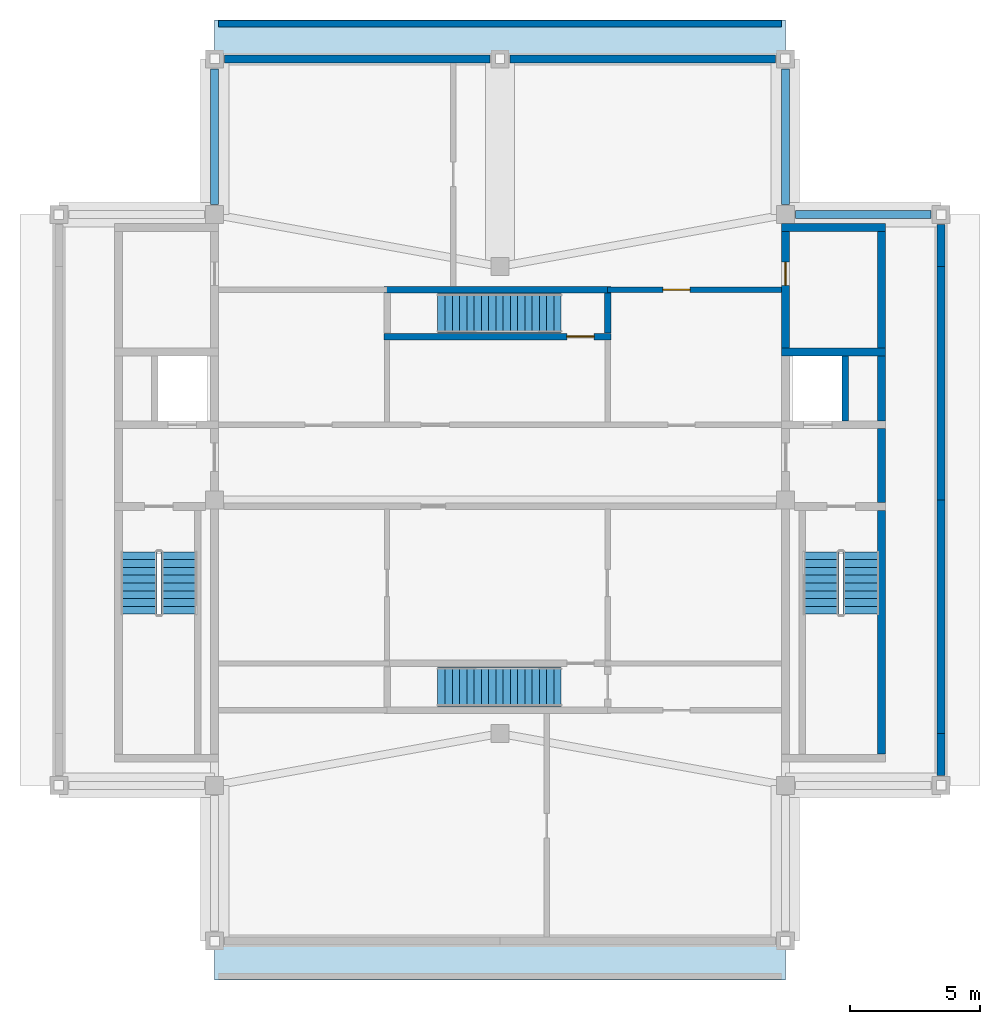
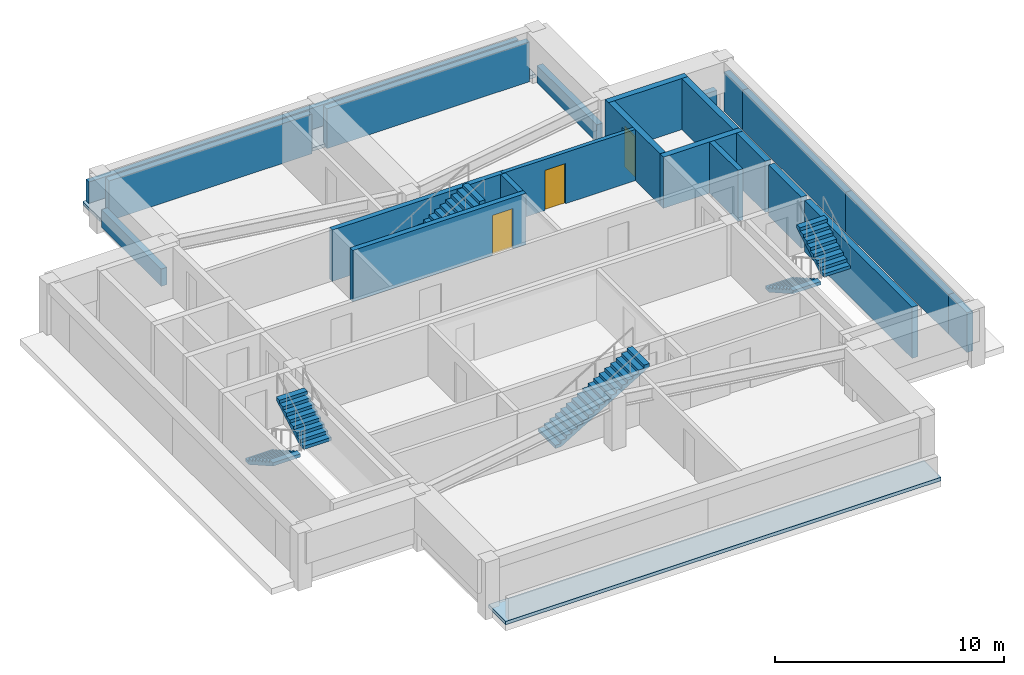
# One storey, part 3 of 4: 22 walls, 6 stair flights, 3 doors, 2 roofs, 3 openings, 4 elements without a shape of their own.
"""IFC4 building model written with IfcOpenShell, lengths in metres."""

from ifc_helpers import new_model, si_unit, direction, frame, frame_2d, origin, place, context, subcontext, project, spatial, polyline, rectangle, outline, extrude, material, layer, layer_set, type_object, element, fill, aggregate, save


model = new_model("IFC4")

# Units and contexts
model_context = context("Model", 3, precision=1e-05, world=origin(), true_north=direction((0.0, 1.0)))
body_context = subcontext(model_context, "Body", "Model", "MODEL_VIEW")
ifc_project = project(units=[si_unit("LENGTHUNIT", "METRE"), si_unit("AREAUNIT", "SQUARE_METRE"), si_unit("VOLUMEUNIT", "CUBIC_METRE"), si_unit("PLANEANGLEUNIT", "RADIAN"), si_unit("MASSUNIT", "GRAM", prefix="KILO")], contexts=[model_context])

# Site, building, storey
site_placement = place(None, origin())
site = spatial("IfcSite", under=ifc_project, at=site_placement, CompositionType="ELEMENT")
building_placement = place(site_placement, origin())
building = spatial("IfcBuilding", under=site, at=building_placement, Name="Zulmaris Gate Convention Tower", CompositionType="ELEMENT")
storey_placement = place(building_placement, frame((0.0, 0.0, 287.919921875)))
storey = spatial("IfcBuildingStorey", under=building, at=storey_placement, Name="L77", CompositionType="ELEMENT", Elevation=287.919921875)

# Wall, opening, door
ifc_material_1 = material(Name="Concrete C50/60", Category="concrete")
ifc_layer_1 = layer(ifc_material_1, 0.25, Name="Concrete C50/60")
ifc_layer_set_1 = layer_set([ifc_layer_1], Name="Concrete C50/60")
wall_type_1 = type_object("IfcWallType", Name="CORE-250", PredefinedType="SOLIDWALL", material=ifc_layer_set_1)
wall_1_placement = place(storey_placement, frame((-4.47509765625, 6.300048828125, 0.0), z_axis=(0.0, 0.0, 1.0), x_axis=(1.0, 0.0, 0.0)))
wall_1 = element("IfcWall", 1, at=wall_1_placement, inside=storey, type_object=wall_type_1, Name="WL-L77-011", PredefinedType="SOLIDWALL", context=body_context, shape_type="SweptSolid", body=[
    extrude(rectangle(XDim=8.75, YDim=0.25, at=frame_2d((4.375, 0.0))), origin(), (0.0, 0.0, 1.0), 2.735107421875),
])
opening_1_placement = place(wall_1_placement, frame((7.050048828125, 0.0, 0.0)))
opening_1 = element("IfcOpeningElement", 2, at=opening_1_placement, cuts=wall_1, Name="Opening D-09", PredefinedType="OPENING", context=body_context, shape_type="SweptSolid", body=[
    extrude(rectangle(XDim=1.050048828125, YDim=2.14990234375, at=frame_2d((0.52490234375, 1.074951171875))), frame((0.0, 0.135009765625, 0.0), z_axis=(0.0, -1.0, 0.0), x_axis=(1.0, 0.0, 0.0)), (0.0, 0.0, 1.0), 0.27001953125),
])
ifc_material_2 = material(Name="Fire-Rated Steel", Category="steel")
door_type_1 = type_object("IfcDoorType", Name="DR-1050-FD", OperationType="NOTDEFINED", PredefinedType="DOOR", material=ifc_material_2)
door_1_placement = place(opening_1_placement, origin())
door_1 = element("IfcDoor", 3, at=door_1_placement, inside=storey, type_object=door_type_1, Name="L77 Crown Stair ST-8 Door 10", OperationType="SINGLE_SWING_RIGHT", OverallHeight=2.14990234375, OverallWidth=1.050048828125, PredefinedType="DOOR", context=body_context, shape_type="SweptSolid", body=[
    extrude(rectangle(XDim=1.050048828125, YDim=2.14990234375, at=frame_2d((0.52490234375, 1.074951171875))), frame((0.0, 0.02490234375, 0.0), z_axis=(0.0, -1.0, 0.0), x_axis=(1.0, 0.0, 0.0)), (0.0, 0.0, 1.0), 0.050048828125),
])
fill(opening_1, door_1)

# Walls
wall_2_placement = place(storey_placement, frame((-4.47509765625, 8.10009765625, 0.0), z_axis=(0.0, 0.0, 1.0), x_axis=(1.0, 0.0, 0.0)))
element("IfcWall", 4, at=wall_2_placement, inside=storey, type_object=wall_type_1, Name="WL-L77-012", PredefinedType="SOLIDWALL", context=body_context, shape_type="SweptSolid", body=[
    extrude(rectangle(XDim=8.75, YDim=0.25, at=frame_2d((4.375, 0.0))), origin(), (0.0, 0.0, 1.0), 2.735107421875),
])
wall_3_placement = place(storey_placement, frame((4.14990234375, 6.427001953125, 0.0), z_axis=(0.0, 0.0, 1.0), x_axis=(0.0, 1.0, 0.0)))
element("IfcWall", 5, at=wall_3_placement, inside=storey, type_object=wall_type_1, Name="WL-L77-036", PredefinedType="SOLIDWALL", context=body_context, shape_type="SweptSolid", body=[
    extrude(rectangle(XDim=1.5458984375, YDim=0.25, at=frame_2d((0.77294921875, 0.0))), origin(), (0.0, 0.0, 1.0), 2.735107421875),
])
wall_4_placement = place(storey_placement, frame((13.300048828125, 3.052001953125, 0.0), z_axis=(0.0, 0.0, 1.0), x_axis=(0.0, 1.0, 0.0)))
element("IfcWall", 6, at=wall_4_placement, inside=storey, type_object=wall_type_1, Name="WL-L77-042", PredefinedType="SOLIDWALL", context=body_context, shape_type="SweptSolid", body=[
    extrude(rectangle(XDim=2.49609375, YDim=0.25, at=frame_2d((1.248046875, 0.0))), origin(), (0.0, 0.0, 1.0), 2.735107421875),
])
ifc_layer_2 = layer(ifc_material_1, 0.300048828125, Name="Concrete C50/60")
ifc_layer_set_2 = layer_set([ifc_layer_2], Name="Concrete C50/60")
wall_type_2 = type_object("IfcWallType", Name="CORE-300", PredefinedType="SHEAR", material=ifc_layer_set_2)
for number, where, z_axis, x_axis, name in (
    (7, (10.85009765625, 5.699951171875, 0.0), (0.0, 0.0, 1.0), (1.0, 0.0, 0.0), "WL-L77-010"),
    (8, (10.85009765625, 10.5, 0.0), (0.0, 0.0, 1.0), (1.0, 0.0, 0.0), "WL-L77-014"),
):
    element("IfcWall", number, at=place(storey_placement, frame(where, z_axis=z_axis, x_axis=x_axis)), inside=storey, type_object=wall_type_2, Name=name, PredefinedType="SHEAR", context=body_context, shape_type="SweptSolid", body=[
        extrude(rectangle(XDim=4.0, YDim=0.300048828125, at=frame_2d((2.0, 0.0))), origin(), (0.0, 0.0, 1.0), 2.735107421875),
    ])

# Wall, opening, door
wall_5_placement = place(storey_placement, frame((11.0, 5.85205078125, 0.0), z_axis=(0.0, 0.0, 1.0), x_axis=(0.0, 1.0, 0.0)))
wall_5 = element("IfcWall", 9, at=wall_5_placement, inside=storey, type_object=wall_type_2, Name="WL-L77-040", PredefinedType="SHEAR", context=body_context, shape_type="SweptSolid", body=[
    extrude(rectangle(XDim=4.7939453125, YDim=0.300048828125, at=frame_2d((2.39697265625, 0.0))), origin(), (0.0, 0.0, 1.0), 2.735107421875),
])
opening_2_placement = place(wall_5_placement, frame((2.41796875, 0.0, 0.0)))
opening_2 = element("IfcOpeningElement", 10, at=opening_2_placement, cuts=wall_5, Name="Opening D-12", PredefinedType="OPENING", context=body_context, shape_type="SweptSolid", body=[
    extrude(rectangle(XDim=0.89990234375, YDim=2.14990234375, at=frame_2d((0.449951171875, 1.074951171875))), frame((0.0, 0.16015625, 0.0), z_axis=(0.0, -1.0, 0.0), x_axis=(1.0, 0.0, 0.0)), (0.0, 0.0, 1.0), 0.320068359375),
])
ifc_material_3 = material(Name="Fire-Rated Timber", Category="wood")
door_type_2 = type_object("IfcDoorType", Name="DR-900-FD", OperationType="NOTDEFINED", PredefinedType="DOOR", material=ifc_material_3)
door_2_placement = place(opening_2_placement, origin())
door_2 = element("IfcDoor", 11, at=door_2_placement, inside=storey, type_object=door_type_2, Name="L77 Crown Telecom Door 08", OperationType="SINGLE_SWING_RIGHT", OverallHeight=2.14990234375, OverallWidth=0.89990234375, PredefinedType="DOOR", context=body_context, shape_type="SweptSolid", body=[
    extrude(rectangle(XDim=0.89990234375, YDim=2.14990234375, at=frame_2d((0.449951171875, 1.074951171875))), frame((0.0, 0.02490234375, 0.0), z_axis=(0.0, -1.0, 0.0), x_axis=(1.0, 0.0, 0.0)), (0.0, 0.0, 1.0), 0.050048828125),
])
fill(opening_2, door_2)

# Walls
wall_6_placement = place(storey_placement, frame((14.699951171875, -9.798095703125, 0.0), z_axis=(0.0, 0.0, 1.0), x_axis=(0.0, 1.0, 0.0)))
element("IfcWall", 12, at=wall_6_placement, inside=storey, type_object=wall_type_2, Name="WL-L77-043", PredefinedType="SHEAR", context=body_context, shape_type="SweptSolid", body=[
    extrude(rectangle(XDim=9.39599609375, YDim=0.300048828125, at=frame_2d((4.697998046875, 0.0))), origin(), (0.0, 0.0, 1.0), 2.735107421875),
])
wall_7_placement = place(storey_placement, frame((14.699951171875, -0.097900390625, 0.0), z_axis=(0.0, 0.0, 1.0), x_axis=(0.0, 1.0, 0.0)))
element("IfcWall", 13, at=wall_7_placement, inside=storey, type_object=wall_type_2, Name="WL-L77-044", PredefinedType="SHEAR", context=body_context, shape_type="SweptSolid", body=[
    extrude(rectangle(XDim=2.845947265625, YDim=0.300048828125, at=frame_2d((1.4228515625, 0.0))), origin(), (0.0, 0.0, 1.0), 2.735107421875),
])
wall_8_placement = place(storey_placement, frame((14.699951171875, 3.052001953125, 0.0), z_axis=(0.0, 0.0, 1.0), x_axis=(0.0, 1.0, 0.0)))
element("IfcWall", 14, at=wall_8_placement, inside=storey, type_object=wall_type_2, Name="WL-L77-045", PredefinedType="SHEAR", context=body_context, shape_type="SweptSolid", body=[
    extrude(rectangle(XDim=2.49609375, YDim=0.300048828125, at=frame_2d((1.248046875, 0.0))), origin(), (0.0, 0.0, 1.0), 2.735107421875),
])
wall_9_placement = place(storey_placement, frame((14.699951171875, 5.85205078125, 0.0), z_axis=(0.0, 0.0, 1.0), x_axis=(0.0, 1.0, 0.0)))
element("IfcWall", 15, at=wall_9_placement, inside=storey, type_object=wall_type_2, Name="WL-L77-046", PredefinedType="SHEAR", context=body_context, shape_type="SweptSolid", body=[
    extrude(rectangle(XDim=4.495849609375, YDim=0.300048828125, at=frame_2d((2.248046875, 0.0))), origin(), (0.0, 0.0, 1.0), 2.735107421875),
])

# Wall, opening, door
ifc_material_4 = material(Name="Autoclaved Aerated Concrete Block and Plasterboard", Category="concrete")
ifc_layer_3 = layer(ifc_material_4, 0.199951171875, Name="Autoclaved Aerated Concrete Block and Plasterboard")
ifc_layer_set_3 = layer_set([ifc_layer_3], Name="Autoclaved Aerated Concrete Block and Plasterboard")
wall_type_3 = type_object("IfcWallType", Name="PART-200", PredefinedType="PARTITIONING", material=ifc_layer_set_3)
wall_10_placement = place(storey_placement, frame((4.14990234375, 8.10009765625, 0.0), z_axis=(0.0, 0.0, 1.0), x_axis=(1.0, 0.0, 0.0)))
wall_10 = element("IfcWall", 16, at=wall_10_placement, inside=storey, type_object=wall_type_3, Name="WL-L77-022", PredefinedType="PARTITIONING", context=body_context, shape_type="SweptSolid", body=[
    extrude(rectangle(XDim=6.697021484375, YDim=0.199951171875, at=frame_2d((3.3486328125, 0.0))), origin(), (0.0, 0.0, 1.0), 2.735107421875),
])
opening_3_placement = place(wall_10_placement, frame((2.125, 0.0, 0.0)))
opening_3 = element("IfcOpeningElement", 17, at=opening_3_placement, cuts=wall_10, Name="Opening D-09", PredefinedType="OPENING", context=body_context, shape_type="SweptSolid", body=[
    extrude(rectangle(XDim=1.050048828125, YDim=2.14990234375, at=frame_2d((0.52490234375, 1.074951171875))), frame((0.0, 0.10986328125, 0.0), z_axis=(0.0, -1.0, 0.0), x_axis=(1.0, 0.0, 0.0)), (0.0, 0.0, 1.0), 0.219970703125),
])
door_3_placement = place(opening_3_placement, origin())
door_3 = element("IfcDoor", 18, at=door_3_placement, inside=storey, type_object=door_type_1, Name="L77 East Water Tank Door 16", OperationType="SINGLE_SWING_RIGHT", OverallHeight=2.14990234375, OverallWidth=1.050048828125, PredefinedType="DOOR", context=body_context, shape_type="SweptSolid", body=[
    extrude(rectangle(XDim=1.050048828125, YDim=2.14990234375, at=frame_2d((0.52490234375, 1.074951171875))), frame((0.0, 0.02490234375, 0.0), z_axis=(0.0, -1.0, 0.0), x_axis=(1.0, 0.0, 0.0)), (0.0, 0.0, 1.0), 0.050048828125),
])
fill(opening_3, door_3)

# Walls
ifc_material_5 = material(Name="Precast concrete C40/50", Category="concrete")
ifc_layer_4 = layer(ifc_material_5, 0.300048828125, Name="Precast concrete C40/50")
ifc_layer_set_4 = layer_set([ifc_layer_4], Name="Precast concrete C40/50")
wall_type_4 = type_object("IfcWallType", Name="PRECAST-CROWN-300", PredefinedType="STANDARD", material=ifc_layer_set_4)
for number, where, z_axis, x_axis, name in (
    (19, (-0.3798828125, 17.0, 0.0), (0.0, 0.0, 1.0), (-1.0, 0.0, 0.0), "EW-L77-CR-N0_0"),
    (20, (10.6201171875, 17.0, 0.0), (0.0, 0.0, 1.0), (-1.0, 0.0, 0.0), "EW-L77-CR-N1_0"),
):
    element("IfcWall", number, at=place(storey_placement, frame(where, z_axis=z_axis, x_axis=x_axis)), inside=storey, type_object=wall_type_4, Name=name, PredefinedType="STANDARD", context=body_context, shape_type="SweptSolid", body=[
        extrude(rectangle(XDim=10.240234375, YDim=0.300048828125, at=frame_2d((5.1201171875, 0.0))), origin(), (0.0, 0.0, 1.0), 2.127197265625),
    ])
wall_11_placement = place(storey_placement, frame((17.0, -10.6201171875, 0.0), z_axis=(0.0, 0.0, 1.0), x_axis=(0.0, 1.0, 0.0)))
element("IfcWall", 21, at=wall_11_placement, inside=storey, type_object=wall_type_4, Name="EW-L77-CR-E0_0", PredefinedType="STANDARD", context=body_context, shape_type="SweptSolid", body=[
    extrude(rectangle(XDim=1.6201171875, YDim=0.300048828125, at=frame_2d((0.81005859375, 0.0))), origin(), (0.0, 0.0, 1.0), 2.127197265625),
])
for number, where, z_axis, x_axis, name in (
    (22, (17.0, -9.0, 0.0), (0.0, 0.0, 1.0), (0.0, 1.0, 0.0), "EW-L77-CR-E1_0"),
    (23, (17.0, 0.0, 0.0), (0.0, 0.0, 1.0), (0.0, 1.0, 0.0), "EW-L77-CR-E2_0"),
):
    element("IfcWall", number, at=place(storey_placement, frame(where, z_axis=z_axis, x_axis=x_axis)), inside=storey, type_object=wall_type_4, Name=name, PredefinedType="STANDARD", context=body_context, shape_type="SweptSolid", body=[
        extrude(rectangle(XDim=9.0, YDim=0.300048828125, at=frame_2d((4.5, 0.0))), origin(), (0.0, 0.0, 1.0), 2.127197265625),
    ])
wall_12_placement = place(storey_placement, frame((17.0, 9.0, 0.0), z_axis=(0.0, 0.0, 1.0), x_axis=(0.0, 1.0, 0.0)))
element("IfcWall", 24, at=wall_12_placement, inside=storey, type_object=wall_type_4, Name="EW-L77-CR-E3_0", PredefinedType="STANDARD", context=body_context, shape_type="SweptSolid", body=[
    extrude(rectangle(XDim=1.6201171875, YDim=0.300048828125, at=frame_2d((0.81005859375, 0.0))), origin(), (0.0, 0.0, 1.0), 2.127197265625),
])
wall_13_placement = place(storey_placement, frame((16.6201171875, 11.0, 0.0), z_axis=(0.0, 0.0, 1.0), x_axis=(-1.0, 0.0, 0.0)))
element("IfcWall", 25, at=wall_13_placement, inside=storey, type_object=wall_type_4, Name="EW-L77-CR-NE1_0", PredefinedType="STANDARD", context=body_context, shape_type="SweptSolid", body=[
    extrude(rectangle(XDim=5.240234375, YDim=0.300048828125, at=frame_2d((2.6201171875, 0.0))), origin(), (0.0, 0.0, 1.0), 1.0771484375),
])
for number, where, z_axis, x_axis, name in (
    (26, (11.0, 11.3798828125, 0.0), (0.0, 0.0, 1.0), (0.0, 1.0, 0.0), "EW-L77-CR-NE2_0"),
    (27, (-11.0, 16.6201171875, 0.0), (0.0, 0.0, 1.0), (0.0, -1.0, 0.0), "EW-L77-CR-NW1_0"),
):
    element("IfcWall", number, at=place(storey_placement, frame(where, z_axis=z_axis, x_axis=x_axis)), inside=storey, type_object=wall_type_4, Name=name, PredefinedType="STANDARD", context=body_context, shape_type="SweptSolid", body=[
        extrude(rectangle(XDim=5.240234375, YDim=0.300048828125, at=frame_2d((2.6201171875, 0.0))), origin(), (0.0, 0.0, 1.0), 0.927001953125),
    ])
ifc_layer_5 = layer(ifc_material_5, 0.25, Name="Precast concrete C40/50")
ifc_layer_set_5 = layer_set([ifc_layer_5], Name="Precast concrete C40/50")
wall_type_5 = type_object("IfcWallType", Name="PRECAST-PARAPET-250", PredefinedType="PARAPET", material=ifc_layer_set_5)
wall_14_placement = place(storey_placement, frame((-10.85009765625, 18.35009765625, 0.179931640625), z_axis=(0.0, 0.0, 1.0), x_axis=(1.0, 0.0, 0.0)))
element("IfcWall", 28, at=wall_14_placement, inside=storey, type_object=wall_type_5, Name="PRP-L77-CROWN-N", PredefinedType="PARAPET", context=body_context, shape_type="SweptSolid", body=[
    extrude(rectangle(XDim=21.7001953125, YDim=0.25, at=frame_2d((10.85009765625, 0.0))), origin(), (0.0, 0.0, 1.0), 1.14013671875),
])

# Stair, stair flights
ifc_material_6 = material(Name="Concrete C45/55", Category="concrete")
stair_type_1 = type_object("IfcStairType", Name="ST-CORE-DOGLEG", PredefinedType="HALF_TURN_STAIR", material=ifc_material_6)
stair_1_placement = place(storey_placement, origin())
stair_1 = element("IfcStair", 29, at=stair_1_placement, inside=storey, type_object=stair_type_1, Name="L77 Core Exit Stair ST-1", PredefinedType="HALF_TURN_STAIR")
ifc_layer_6 = layer(ifc_material_6, 0.14990234375, Name="Concrete C45/55")
ifc_layer_set_6 = layer_set([ifc_layer_6], Name="Concrete C45/55")
stair_flight_type = type_object("IfcStairFlightType", Name="STF-RC150", PredefinedType="STRAIGHT", material=ifc_layer_set_6)
stair_flight_1_placement = place(storey_placement, frame((-13.919921875, -2.0, 0.0), z_axis=(0.0, 0.0, 1.0), x_axis=(0.0, -1.0, 0.0)))
stair_flight_1 = element("IfcStairFlight", 30, at=stair_flight_1_placement, type_object=stair_flight_type, Name="ST-1 flight 1", NumberOfRisers=9, NumberOfTreads=8, PredefinedType="STRAIGHT", RiserHeight=0.170005556, TreadLength=0.3, context=body_context, shape_type="SweptSolid", body=[
    extrude(outline(polyline([(0.0, 0.0), (0.0, 0.169921875), (0.300048828125, 0.169921875), (0.300048828125, 0.340087890625), (0.60009765625, 0.340087890625), (0.60009765625, 0.510009765625), (0.89990234375, 0.510009765625), (0.89990234375, 0.679931640625), (1.199951171875, 0.679931640625), (1.199951171875, 0.85009765625), (1.5, 0.85009765625), (1.5, 1.02001953125), (1.800048828125, 1.02001953125), (1.800048828125, 1.18994140625), (2.10009765625, 1.18994140625), (2.10009765625, 1.360107421875), (2.39990234375, 1.360107421875), (2.39990234375, 1.530029296875), (2.39990234375, 1.187744140625), (0.303955078125, 0.0), (0.0, 0.0)])), frame((0.0, 0.699951171875, 0.0), z_axis=(0.0, -1.0, 0.0), x_axis=(1.0, 0.0, 0.0)), (0.0, 0.0, 1.0), 1.39990234375),
])
stair_flight_2_placement = place(storey_placement, frame((-12.360107421875, -4.39990234375, 1.530029296875), z_axis=(0.0, 0.0, 1.0), x_axis=(0.0, 1.0, 0.0)))
stair_flight_2 = element("IfcStairFlight", 31, at=stair_flight_2_placement, type_object=stair_flight_type, Name="ST-1 flight 2", NumberOfRisers=9, NumberOfTreads=8, PredefinedType="STRAIGHT", RiserHeight=0.170005556, TreadLength=0.3, context=body_context, shape_type="SweptSolid", body=[
    extrude(outline(polyline([(0.0, 0.0), (0.0, 0.169921875), (0.300048828125, 0.169921875), (0.300048828125, 0.340087890625), (0.60009765625, 0.340087890625), (0.60009765625, 0.510009765625), (0.89990234375, 0.510009765625), (0.89990234375, 0.679931640625), (1.199951171875, 0.679931640625), (1.199951171875, 0.85009765625), (1.5, 0.85009765625), (1.5, 1.02001953125), (1.800048828125, 1.02001953125), (1.800048828125, 1.18994140625), (2.10009765625, 1.18994140625), (2.10009765625, 1.360107421875), (2.39990234375, 1.360107421875), (2.39990234375, 1.530029296875), (2.39990234375, 1.187744140625), (0.303955078125, 0.0), (0.0, 0.0)])), frame((0.0, 0.699951171875, 0.0), z_axis=(0.0, -1.0, 0.0), x_axis=(1.0, 0.0, 0.0)), (0.0, 0.0, 1.0), 1.39990234375),
])
aggregate(stair_1, [stair_flight_1, stair_flight_2])

stair_2_placement = place(storey_placement, origin())
stair_2 = element("IfcStair", 32, at=stair_2_placement, inside=storey, type_object=stair_type_1, Name="L77 Core Exit Stair ST-2", PredefinedType="HALF_TURN_STAIR")
stair_flight_3_placement = place(storey_placement, frame((12.360107421875, -2.0, 0.0), z_axis=(0.0, 0.0, 1.0), x_axis=(0.0, -1.0, 0.0)))
stair_flight_3 = element("IfcStairFlight", 33, at=stair_flight_3_placement, type_object=stair_flight_type, Name="ST-2 flight 1", NumberOfRisers=9, NumberOfTreads=8, PredefinedType="STRAIGHT", RiserHeight=0.170005556, TreadLength=0.3, context=body_context, shape_type="SweptSolid", body=[
    extrude(outline(polyline([(0.0, 0.0), (0.0, 0.169921875), (0.300048828125, 0.169921875), (0.300048828125, 0.340087890625), (0.60009765625, 0.340087890625), (0.60009765625, 0.510009765625), (0.89990234375, 0.510009765625), (0.89990234375, 0.679931640625), (1.199951171875, 0.679931640625), (1.199951171875, 0.85009765625), (1.5, 0.85009765625), (1.5, 1.02001953125), (1.800048828125, 1.02001953125), (1.800048828125, 1.18994140625), (2.10009765625, 1.18994140625), (2.10009765625, 1.360107421875), (2.39990234375, 1.360107421875), (2.39990234375, 1.530029296875), (2.39990234375, 1.187744140625), (0.303955078125, 0.0), (0.0, 0.0)])), frame((0.0, 0.699951171875, 0.0), z_axis=(0.0, -1.0, 0.0), x_axis=(1.0, 0.0, 0.0)), (0.0, 0.0, 1.0), 1.39990234375),
])
stair_flight_4_placement = place(storey_placement, frame((13.919921875, -4.39990234375, 1.530029296875), z_axis=(0.0, 0.0, 1.0), x_axis=(0.0, 1.0, 0.0)))
stair_flight_4 = element("IfcStairFlight", 34, at=stair_flight_4_placement, type_object=stair_flight_type, Name="ST-2 flight 2", NumberOfRisers=9, NumberOfTreads=8, PredefinedType="STRAIGHT", RiserHeight=0.170005556, TreadLength=0.3, context=body_context, shape_type="SweptSolid", body=[
    extrude(outline(polyline([(0.0, 0.0), (0.0, 0.169921875), (0.300048828125, 0.169921875), (0.300048828125, 0.340087890625), (0.60009765625, 0.340087890625), (0.60009765625, 0.510009765625), (0.89990234375, 0.510009765625), (0.89990234375, 0.679931640625), (1.199951171875, 0.679931640625), (1.199951171875, 0.85009765625), (1.5, 0.85009765625), (1.5, 1.02001953125), (1.800048828125, 1.02001953125), (1.800048828125, 1.18994140625), (2.10009765625, 1.18994140625), (2.10009765625, 1.360107421875), (2.39990234375, 1.360107421875), (2.39990234375, 1.530029296875), (2.39990234375, 1.187744140625), (0.303955078125, 0.0), (0.0, 0.0)])), frame((0.0, 0.699951171875, 0.0), z_axis=(0.0, -1.0, 0.0), x_axis=(1.0, 0.0, 0.0)), (0.0, 0.0, 1.0), 1.39990234375),
])
aggregate(stair_2, [stair_flight_3, stair_flight_4])

# Stair, stair flight
stair_type_2 = type_object("IfcStairType", Name="ST-CRN-STRAIGHT", PredefinedType="STRAIGHT_RUN_STAIR", material=ifc_material_6)
stair_3_placement = place(storey_placement, origin())
stair_3 = element("IfcStair", 35, at=stair_3_placement, inside=storey, type_object=stair_type_2, Name="L77 Crown Straight Stair ST-7", PredefinedType="STRAIGHT_RUN_STAIR")
stair_flight_5_placement = place(storey_placement, frame((-2.39990234375, -7.199951171875, 0.0), z_axis=(0.0, 0.0, 1.0), x_axis=(1.0, 0.0, 0.0)))
stair_flight_5 = element("IfcStairFlight", 36, at=stair_flight_5_placement, type_object=stair_flight_type, Name="ST-7 flight 1", NumberOfRisers=18, NumberOfTreads=17, PredefinedType="STRAIGHT", RiserHeight=0.170005556, TreadLength=0.28, context=body_context, shape_type="SweptSolid", body=[
    extrude(outline(polyline([(0.0, 0.0), (0.0, 0.169921875), (0.280029296875, 0.169921875), (0.280029296875, 0.340087890625), (0.56005859375, 0.340087890625), (0.56005859375, 0.510009765625), (0.840087890625, 0.510009765625), (0.840087890625, 0.679931640625), (1.1201171875, 0.679931640625), (1.1201171875, 0.85009765625), (1.39990234375, 0.85009765625), (1.39990234375, 1.02001953125), (1.679931640625, 1.02001953125), (1.679931640625, 1.18994140625), (1.9599609375, 1.18994140625), (1.9599609375, 1.360107421875), (2.239990234375, 1.360107421875), (2.239990234375, 1.530029296875), (2.52001953125, 1.530029296875), (2.52001953125, 1.699951171875), (2.800048828125, 1.699951171875), (2.800048828125, 1.8701171875), (3.080078125, 1.8701171875), (3.080078125, 2.0400390625), (3.360107421875, 2.0400390625), (3.360107421875, 2.2099609375), (3.639892578125, 2.2099609375), (3.639892578125, 2.380126953125), (3.919921875, 2.380126953125), (3.919921875, 2.550048828125), (4.199951171875, 2.550048828125), (4.199951171875, 2.719970703125), (4.47998046875, 2.719970703125), (4.47998046875, 2.89013671875), (4.760009765625, 2.89013671875), (4.760009765625, 3.06005859375), (4.760009765625, 2.71484375), (0.288818359375, 0.0), (0.0, 0.0)])), frame((0.0, 0.75, 0.0), z_axis=(0.0, -1.0, 0.0), x_axis=(1.0, 0.0, 0.0)), (0.0, 0.0, 1.0), 1.5),
])
aggregate(stair_3, [stair_flight_5])

stair_4_placement = place(storey_placement, origin())
stair_4 = element("IfcStair", 37, at=stair_4_placement, inside=storey, type_object=stair_type_2, Name="L77 Crown Straight Stair ST-8", PredefinedType="STRAIGHT_RUN_STAIR")
stair_flight_6_placement = place(storey_placement, frame((-2.39990234375, 7.199951171875, 0.0), z_axis=(0.0, 0.0, 1.0), x_axis=(1.0, 0.0, 0.0)))
stair_flight_6 = element("IfcStairFlight", 38, at=stair_flight_6_placement, type_object=stair_flight_type, Name="ST-8 flight 1", NumberOfRisers=18, NumberOfTreads=17, PredefinedType="STRAIGHT", RiserHeight=0.170005556, TreadLength=0.28, context=body_context, shape_type="SweptSolid", body=[
    extrude(outline(polyline([(0.0, 0.0), (0.0, 0.169921875), (0.280029296875, 0.169921875), (0.280029296875, 0.340087890625), (0.56005859375, 0.340087890625), (0.56005859375, 0.510009765625), (0.840087890625, 0.510009765625), (0.840087890625, 0.679931640625), (1.1201171875, 0.679931640625), (1.1201171875, 0.85009765625), (1.39990234375, 0.85009765625), (1.39990234375, 1.02001953125), (1.679931640625, 1.02001953125), (1.679931640625, 1.18994140625), (1.9599609375, 1.18994140625), (1.9599609375, 1.360107421875), (2.239990234375, 1.360107421875), (2.239990234375, 1.530029296875), (2.52001953125, 1.530029296875), (2.52001953125, 1.699951171875), (2.800048828125, 1.699951171875), (2.800048828125, 1.8701171875), (3.080078125, 1.8701171875), (3.080078125, 2.0400390625), (3.360107421875, 2.0400390625), (3.360107421875, 2.2099609375), (3.639892578125, 2.2099609375), (3.639892578125, 2.380126953125), (3.919921875, 2.380126953125), (3.919921875, 2.550048828125), (4.199951171875, 2.550048828125), (4.199951171875, 2.719970703125), (4.47998046875, 2.719970703125), (4.47998046875, 2.89013671875), (4.760009765625, 2.89013671875), (4.760009765625, 3.06005859375), (4.760009765625, 2.71484375), (0.288818359375, 0.0), (0.0, 0.0)])), frame((0.0, 0.75, 0.0), z_axis=(0.0, -1.0, 0.0), x_axis=(1.0, 0.0, 0.0)), (0.0, 0.0, 1.0), 1.5),
])
aggregate(stair_4, [stair_flight_6])

# Roofs
ifc_material_7 = material(Name="Concrete C40/50", Category="concrete")
ifc_layer_7 = layer(ifc_material_7, 0.219970703125, Name="Concrete C40/50")
ifc_layer_set_7 = layer_set([ifc_layer_7], Name="Concrete C40/50")
slab_type = type_object("IfcSlabType", Name="RF-MEMBRANE-220", PredefinedType="ROOF", material=ifc_layer_set_7)
roof_1_placement = place(storey_placement, origin())
element("IfcRoof", 39, at=roof_1_placement, inside=storey, type_object=slab_type, Name="RF-L77-CROWN-STEP-N", PredefinedType="FLAT_ROOF", context=body_context, shape_type="SweptSolid", body=[
    extrude(outline(polyline([(-11.0, 17.0), (11.0, 17.0), (11.0, 18.5), (-11.0, 18.5), (-11.0, 17.0)])), origin(), (0.0, 0.0, 1.0), 0.179931640625),
])
roof_2_placement = place(storey_placement, origin())
element("IfcRoof", 40, at=roof_2_placement, inside=storey, type_object=slab_type, Name="RF-L77-CROWN-STEP-S", PredefinedType="FLAT_ROOF", context=body_context, shape_type="SweptSolid", body=[
    extrude(outline(polyline([(-11.0, -18.5), (11.0, -18.5), (11.0, -17.0), (-11.0, -17.0), (-11.0, -18.5)])), origin(), (0.0, 0.0, 1.0), 0.179931640625),
])

save(model, "model.ifc")
